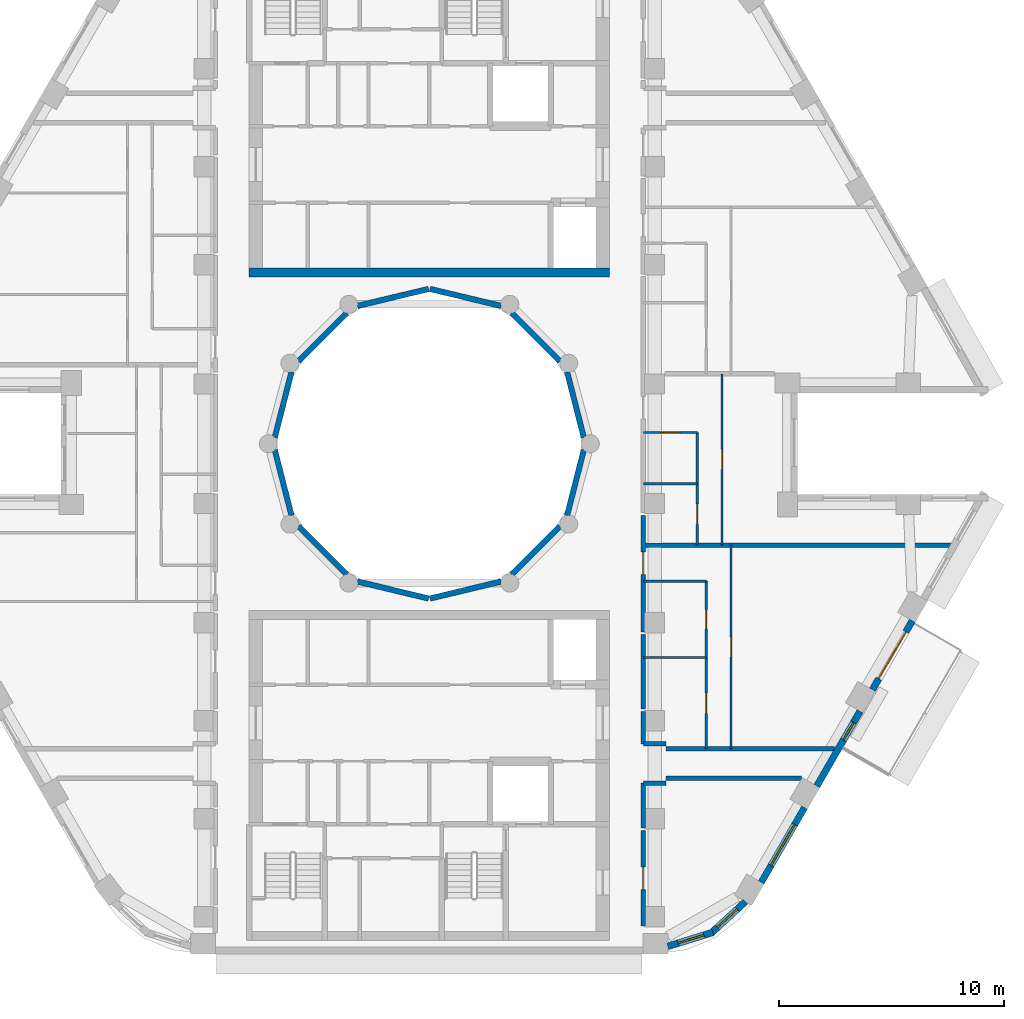
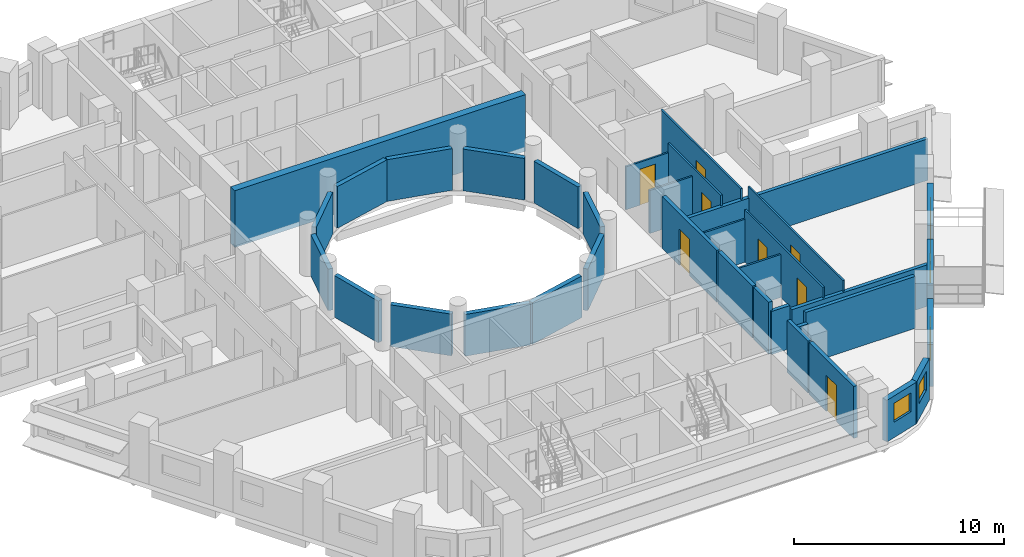
# One storey, part 5 of 14: 36 walls, 9 doors, 4 windows, 13 openings.
"""IFC4 building model written with IfcOpenShell, lengths in metres."""

from ifc_helpers import new_model, si_unit, direction, frame, frame_2d, origin, place, context, subcontext, project, spatial, rectangle, extrude, material, layer, layer_set, type_object, element, fill, save


model = new_model("IFC4")

# Units and contexts
model_context = context("Model", 3, precision=1e-05, world=origin(), true_north=direction((0.0, 1.0)))
body_context = subcontext(model_context, "Body", "Model", "MODEL_VIEW")
ifc_project = project(units=[si_unit("LENGTHUNIT", "METRE"), si_unit("AREAUNIT", "SQUARE_METRE"), si_unit("VOLUMEUNIT", "CUBIC_METRE"), si_unit("PLANEANGLEUNIT", "RADIAN"), si_unit("MASSUNIT", "GRAM", prefix="KILO")], contexts=[model_context])

# Site, building, storey
site_placement = place(None, origin())
site = spatial("IfcSite", under=ifc_project, at=site_placement, CompositionType="ELEMENT")
building_placement = place(site_placement, origin())
building = spatial("IfcBuilding", under=site, at=building_placement, Name="Nakaniwa Court", CompositionType="ELEMENT")
storey_placement = place(building_placement, frame((0.0, 0.0, 259.199951171875)))
storey = spatial("IfcBuildingStorey", under=building, at=storey_placement, Name="L68", CompositionType="ELEMENT", Elevation=259.199951171875)

# Wall, opening, door
ifc_material_1 = material(Name="Acoustic double stud partition")
ifc_layer_1 = layer(ifc_material_1, 0.199951171875)
ifc_layer_set_1 = layer_set([ifc_layer_1], Name="Acoustic double stud partition")
wall_type_1 = type_object("IfcWallType", Name="Acoustic double stud partition 200", PredefinedType="PARTITIONING", material=ifc_layer_set_1)
wall_1_placement = place(storey_placement, frame((89.5, 62.822998046875, 0.0), z_axis=(0.0, 0.0, 1.0), x_axis=(0.0, -1.0, 0.0)))
wall_1 = element("IfcWall", 1, at=wall_1_placement, inside=storey, type_object=wall_type_1, Name="Partition PW-057", PredefinedType="PARTITIONING", context=body_context, shape_type="SweptSolid", body=[
    extrude(rectangle(XDim=4.236083984375, YDim=0.199951171875, at=frame_2d((2.1181640625, 0.0))), origin(), (0.0, 0.0, 1.0), 3.025146484375),
])
opening_1_placement = place(wall_1_placement, frame((1.617919921875, 0.0, 0.0)))
opening_1 = element("IfcOpeningElement", 2, at=opening_1_placement, cuts=wall_1, Name="Opening D-02-03", PredefinedType="OPENING", context=body_context, shape_type="SweptSolid", body=[
    extrude(rectangle(XDim=1.0, YDim=2.10009765625, at=frame_2d((0.5, 1.050048828125))), frame((0.0, 0.10986328125, 0.0), z_axis=(0.0, -1.0, 0.0), x_axis=(1.0, 0.0, 0.0)), (0.0, 0.0, 1.0), 0.219970703125),
])
ifc_material_2 = material(Name="Solid core timber door set, black veneer", Category="wood")
door_type_1 = type_object("IfcDoorType", Name="Internal door 1000", OperationType="NOTDEFINED", PredefinedType="DOOR", material=ifc_material_2)
door_1_placement = place(opening_1_placement, origin())
door_1 = element("IfcDoor", 3, at=door_1_placement, inside=storey, type_object=door_type_1, Name="Door D-02-03 L68-055", OperationType="SINGLE_SWING_RIGHT", OverallHeight=2.10009765625, OverallWidth=1.0, PredefinedType="DOOR", context=body_context, shape_type="SweptSolid", body=[
    extrude(rectangle(XDim=1.0, YDim=2.10009765625, at=frame_2d((0.5, 1.050048828125))), frame((0.0, 0.02490234375, 0.0), z_axis=(0.0, -1.0, 0.0), x_axis=(1.0, 0.0, 0.0)), (0.0, 0.0, 1.0), 0.050048828125),
])
fill(opening_1, door_1)

# Walls
wall_2_placement = place(storey_placement, frame((89.5, 62.93701171875, 0.0), z_axis=(0.0, 0.0, 1.0), x_axis=(0.0, 1.0, 0.0)))
element("IfcWall", 4, at=wall_2_placement, inside=storey, type_object=wall_type_1, Name="Partition PW-058", PredefinedType="PARTITIONING", context=body_context, shape_type="SweptSolid", body=[
    extrude(rectangle(XDim=1.990966796875, YDim=0.199951171875, at=frame_2d((0.99560546875, 0.0))), origin(), (0.0, 0.0, 1.0), 3.025146484375),
])
wall_3_placement = place(storey_placement, frame((89.5, 66.672119140625, 0.0), z_axis=(0.0, 0.0, 1.0), x_axis=(0.0, 1.0, 0.0)))
element("IfcWall", 5, at=wall_3_placement, inside=storey, type_object=wall_type_1, Name="Partition PW-059", PredefinedType="PARTITIONING", context=body_context, shape_type="SweptSolid", body=[
    extrude(rectangle(XDim=1.44091796875, YDim=0.199951171875, at=frame_2d((0.720458984375, 0.0))), origin(), (0.0, 0.0, 1.0), 3.025146484375),
])
wall_4_placement = place(storey_placement, frame((89.5, 68.22705078125, 0.0), z_axis=(0.0, 0.0, 1.0), x_axis=(0.0, 1.0, 0.0)))
element("IfcWall", 6, at=wall_4_placement, inside=storey, type_object=wall_type_1, Name="Partition PW-060", PredefinedType="PARTITIONING", context=body_context, shape_type="SweptSolid", body=[
    extrude(rectangle(XDim=3.2958984375, YDim=0.199951171875, at=frame_2d((1.64794921875, 0.0))), origin(), (0.0, 0.0, 1.0), 3.025146484375),
])

# Wall, opening, door
wall_5_placement = place(storey_placement, frame((89.5, 76.822998046875, 0.0), z_axis=(0.0, 0.0, 1.0), x_axis=(0.0, -1.0, 0.0)))
wall_5 = element("IfcWall", 7, at=wall_5_placement, inside=storey, type_object=wall_type_1, Name="Partition PW-061", PredefinedType="PARTITIONING", context=body_context, shape_type="SweptSolid", body=[
    extrude(rectangle(XDim=5.18603515625, YDim=0.199951171875, at=frame_2d((2.593017578125, 0.0))), origin(), (0.0, 0.0, 1.0), 3.025146484375),
])
opening_2_placement = place(wall_5_placement, frame((1.623046875, 0.0, 0.0)))
opening_2 = element("IfcOpeningElement", 8, at=opening_2_placement, cuts=wall_5, Name="Opening D-01-01", PredefinedType="OPENING", context=body_context, shape_type="SweptSolid", body=[
    extrude(rectangle(XDim=1.0, YDim=2.10009765625, at=frame_2d((0.5, 1.050048828125))), frame((0.0, 0.10986328125, 0.0), z_axis=(0.0, -1.0, 0.0), x_axis=(1.0, 0.0, 0.0)), (0.0, 0.0, 1.0), 0.219970703125),
])
door_type_2 = type_object("IfcDoorType", Name="Flat entrance door 1000", OperationType="NOTDEFINED", PredefinedType="DOOR", material=ifc_material_2)
door_2_placement = place(opening_2_placement, origin())
door_2 = element("IfcDoor", 9, at=door_2_placement, inside=storey, type_object=door_type_2, Name="Door D-01-01 L68-029", OperationType="SINGLE_SWING_RIGHT", OverallHeight=2.10009765625, OverallWidth=1.0, PredefinedType="DOOR", context=body_context, shape_type="SweptSolid", body=[
    extrude(rectangle(XDim=1.0, YDim=2.10009765625, at=frame_2d((0.5, 1.050048828125))), frame((0.0, 0.02490234375, 0.0), z_axis=(0.0, -1.0, 0.0), x_axis=(1.0, 0.0, 0.0)), (0.0, 0.0, 1.0), 0.050048828125),
])
fill(opening_2, door_2)

# Walls
wall_6_placement = place(storey_placement, frame((89.5, 66.675048828125, 0.0), z_axis=(0.0, 0.0, 1.0), x_axis=(1.0, 0.0, 0.0)))
element("IfcWall", 10, at=wall_6_placement, inside=storey, type_object=wall_type_1, Name="Partition PW-077", PredefinedType="PARTITIONING", context=body_context, shape_type="SweptSolid", body=[
    extrude(rectangle(XDim=1.0, YDim=0.199951171875, at=frame_2d((0.5, 0.0))), origin(), (0.0, 0.0, 1.0), 2.505126953125),
])
wall_7_placement = place(storey_placement, frame((90.5, 66.449951171875, 0.0), z_axis=(0.0, 0.0, 1.0), x_axis=(1.0, 0.0, 0.0)))
element("IfcWall", 11, at=wall_7_placement, inside=storey, type_object=wall_type_1, Name="Partition PW-079", PredefinedType="PARTITIONING", context=body_context, shape_type="SweptSolid", body=[
    extrude(rectangle(XDim=7.484619140625, YDim=0.199951171875, at=frame_2d((3.7421875, 0.0))), origin(), (0.0, 0.0, 1.0), 2.405029296875),
])
wall_8_placement = place(storey_placement, frame((90.5, 65.14990234375, 0.0), z_axis=(0.0, 0.0, 1.0), x_axis=(1.0, 0.0, 0.0)))
element("IfcWall", 12, at=wall_8_placement, inside=storey, type_object=wall_type_1, Name="Partition PW-081", PredefinedType="PARTITIONING", context=body_context, shape_type="SweptSolid", body=[
    extrude(rectangle(XDim=6.02099609375, YDim=0.199951171875, at=frame_2d((3.010498046875, 0.0))), origin(), (0.0, 0.0, 1.0), 3.025146484375),
])
wall_9_placement = place(storey_placement, frame((89.5, 64.925048828125, 0.0), z_axis=(0.0, 0.0, 1.0), x_axis=(1.0, 0.0, 0.0)))
element("IfcWall", 13, at=wall_9_placement, inside=storey, type_object=wall_type_1, Name="Partition PW-083", PredefinedType="PARTITIONING", context=body_context, shape_type="SweptSolid", body=[
    extrude(rectangle(XDim=1.0, YDim=0.199951171875, at=frame_2d((0.5, 0.0))), origin(), (0.0, 0.0, 1.0), 2.505126953125),
])
wall_10_placement = place(storey_placement, frame((89.5, 75.5, 0.0), z_axis=(0.0, 0.0, 1.0), x_axis=(1.0, 0.0, 0.0)))
element("IfcWall", 14, at=wall_10_placement, inside=storey, type_object=wall_type_1, Name="Partition PW-103", PredefinedType="PARTITIONING", context=body_context, shape_type="SweptSolid", body=[
    extrude(rectangle(XDim=13.70947265625, YDim=0.199951171875, at=frame_2d((6.854736328125, 0.0))), origin(), (0.0, 0.0, 1.0), 2.405029296875),
])

# Wall, opening, window
ifc_material_3 = material(Name="Charcoal ceramic cladding")
ifc_layer_2 = layer(ifc_material_3, 0.02, Name="Ceramic cladding")
ifc_material_4 = material(Name="Ventilated air cavity")
ifc_layer_3 = layer(ifc_material_4, 0.04, ventilated=True, Name="Ventilated cavity")
ifc_material_5 = material(Name="Mineral wool insulation")
ifc_layer_4 = layer(ifc_material_5, 0.1, Name="Insulation")
ifc_material_6 = material(Name="Cement bonded sheathing board")
ifc_layer_5 = layer(ifc_material_6, 0.012, Name="Sheathing")
ifc_material_7 = material(Name="Cold-formed galvanised stud frame with mineral wool infill")
ifc_layer_6 = layer(ifc_material_7, 0.1, Name="Stud frame")
ifc_material_8 = material(Name="Fire-rated gypsum plasterboard lining")
ifc_layer_7 = layer(ifc_material_8, 0.028, Name="Lining")
ifc_layer_set_2 = layer_set([ifc_layer_2, ifc_layer_3, ifc_layer_4, ifc_layer_5, ifc_layer_6, ifc_layer_7], Name="Charcoal ceramic faced external wall system")
wall_type_2 = type_object("IfcWallType", Name="Black ceramic faced external wall 300", PredefinedType="SOLIDWALL", material=ifc_layer_set_2)
wall_11_placement = place(storey_placement, frame((90.585693359375, 57.68408203125, 0.0), z_axis=(0.0, 0.0, 1.0), x_axis=(0.954941641926, 0.296793632875, 0.0)))
wall_11 = element("IfcWall", 15, at=wall_11_placement, inside=storey, type_object=wall_type_2, Name="L68 external wall 27", PredefinedType="SOLIDWALL", context=body_context, shape_type="SweptSolid", body=[
    extrude(rectangle(XDim=2.1025390625, YDim=0.300048828125, at=frame_2d((1.05126953125, 0.0))), origin(), (0.0, 0.0, 1.0), 2.425048828125),
])
opening_3_placement = place(wall_11_placement, frame((0.490234375, 0.0, 0.89990234375)))
opening_3 = element("IfcOpeningElement", 16, at=opening_3_placement, cuts=wall_11, Name="Opening W6.26", PredefinedType="OPENING", context=body_context, shape_type="SweptSolid", body=[
    extrude(rectangle(XDim=1.199951171875, YDim=1.10009765625, at=frame_2d((0.60009765625, 0.550048828125))), frame((0.0, 0.159912109375, 0.0), z_axis=(0.0, -1.0, 0.0), x_axis=(1.0, 0.0, 0.0)), (0.0, 0.0, 1.0), 0.320068359375),
])
ifc_material_9 = material(Name="Black anodised aluminium frame with dark low-E laminated double glazing", Category="aluminium")
window_type_1 = type_object("IfcWindowType", Name="Dark glass window 1200x1100 sill 900", PartitioningType="SINGLE_PANEL", PredefinedType="WINDOW", material=ifc_material_9)
window_1_placement = place(opening_3_placement, origin())
window_1 = element("IfcWindow", 17, at=window_1_placement, inside=storey, type_object=window_type_1, Name="L68 habitable room window 27-0", OverallHeight=1.10009765625, OverallWidth=1.199951171875, PartitioningType="SINGLE_PANEL", PredefinedType="WINDOW", context=body_context, shape_type="SweptSolid", body=[
    extrude(rectangle(XDim=1.199951171875, YDim=1.10009765625, at=frame_2d((0.60009765625, 0.550048828125))), frame((0.0, 0.030029296875, 0.0), z_axis=(0.0, -1.0, 0.0), x_axis=(1.0, 0.0, 0.0)), (0.0, 0.0, 1.0), 0.06005859375),
])
fill(opening_3, window_1)

wall_12_placement = place(storey_placement, frame((92.489501953125, 58.247314453125, 0.0), z_axis=(0.0, 0.0, 1.0), x_axis=(0.734830223907, 0.678251090698, 0.0)))
wall_12 = element("IfcWall", 18, at=wall_12_placement, inside=storey, type_object=wall_type_2, Name="L68 external wall 28", PredefinedType="SOLIDWALL", context=body_context, shape_type="SweptSolid", body=[
    extrude(rectangle(XDim=2.09716796875, YDim=0.300048828125, at=frame_2d((1.048583984375, 0.0))), origin(), (0.0, 0.0, 1.0), 2.425048828125),
])
opening_4_placement = place(wall_12_placement, frame((0.409423828125, 0.0, 0.89990234375)))
opening_4 = element("IfcOpeningElement", 19, at=opening_4_placement, cuts=wall_12, Name="Opening W6.27", PredefinedType="OPENING", context=body_context, shape_type="SweptSolid", body=[
    extrude(rectangle(XDim=1.199951171875, YDim=1.10009765625, at=frame_2d((0.60009765625, 0.550048828125))), frame((0.0, 0.159912109375, 0.0), z_axis=(0.0, -1.0, 0.0), x_axis=(1.0, 0.0, 0.0)), (0.0, 0.0, 1.0), 0.320068359375),
])
window_2_placement = place(opening_4_placement, origin())
window_2 = element("IfcWindow", 20, at=window_2_placement, inside=storey, type_object=window_type_1, Name="L68 habitable room window 28-0", OverallHeight=1.10009765625, OverallWidth=1.199951171875, PartitioningType="SINGLE_PANEL", PredefinedType="WINDOW", context=body_context, shape_type="SweptSolid", body=[
    extrude(rectangle(XDim=1.199951171875, YDim=1.10009765625, at=frame_2d((0.60009765625, 0.550048828125))), frame((0.0, 0.030029296875, 0.0), z_axis=(0.0, -1.0, 0.0), x_axis=(1.0, 0.0, 0.0)), (0.0, 0.0, 1.0), 0.06005859375),
])
fill(opening_4, window_2)

wall_13_placement = place(storey_placement, frame((94.73583984375, 60.523193359375, 0.0), z_axis=(0.0, 0.0, 1.0), x_axis=(0.499984490703, 0.866034357896, 0.0)))
wall_13 = element("IfcWall", 21, at=wall_13_placement, inside=storey, type_object=wall_type_2, Name="L68 external wall 29", PredefinedType="SOLIDWALL", context=body_context, shape_type="SweptSolid", body=[
    extrude(rectangle(XDim=3.84423828125, YDim=0.300048828125, at=frame_2d((1.922119140625, 0.0))), origin(), (0.0, 0.0, 1.0), 2.425048828125),
])
opening_5_placement = place(wall_13_placement, frame((0.8720703125, 0.0, 0.89990234375)))
opening_5 = element("IfcOpeningElement", 22, at=opening_5_placement, cuts=wall_13, Name="Opening W7.28", PredefinedType="OPENING", context=body_context, shape_type="SweptSolid", body=[
    extrude(rectangle(XDim=2.10009765625, YDim=1.10009765625, at=frame_2d((1.050048828125, 0.550048828125))), frame((0.0, 0.159912109375, 0.0), z_axis=(0.0, -1.0, 0.0), x_axis=(1.0, 0.0, 0.0)), (0.0, 0.0, 1.0), 0.320068359375),
])
window_type_2 = type_object("IfcWindowType", Name="Dark glass window 2100x1100 sill 900", PartitioningType="SINGLE_PANEL", PredefinedType="WINDOW", material=ifc_material_9)
window_3_placement = place(opening_5_placement, origin())
window_3 = element("IfcWindow", 23, at=window_3_placement, inside=storey, type_object=window_type_2, Name="L68 habitable room window 29-0", OverallHeight=1.10009765625, OverallWidth=2.10009765625, PartitioningType="SINGLE_PANEL", PredefinedType="WINDOW", context=body_context, shape_type="SweptSolid", body=[
    extrude(rectangle(XDim=2.10009765625, YDim=1.10009765625, at=frame_2d((1.050048828125, 0.550048828125))), frame((0.0, 0.030029296875, 0.0), z_axis=(0.0, -1.0, 0.0), x_axis=(1.0, 0.0, 0.0)), (0.0, 0.0, 1.0), 0.06005859375),
])
fill(opening_5, window_3)

wall_14_placement = place(storey_placement, frame((97.2041015625, 64.798095703125, 0.0), z_axis=(0.0, 0.0, 1.0), x_axis=(0.499984490703, 0.866034357896, 0.0)))
wall_14 = element("IfcWall", 24, at=wall_14_placement, inside=storey, type_object=wall_type_2, Name="L68 external wall 30", PredefinedType="SOLIDWALL", context=body_context, shape_type="SweptSolid", body=[
    extrude(rectangle(XDim=3.84423828125, YDim=0.300048828125, at=frame_2d((1.922119140625, 0.0))), origin(), (0.0, 0.0, 1.0), 2.425048828125),
])
opening_6_placement = place(wall_14_placement, frame((2.36474609375, 0.0, 0.89990234375)))
opening_6 = element("IfcOpeningElement", 25, at=opening_6_placement, cuts=wall_14, Name="Opening W9.29", PredefinedType="OPENING", context=body_context, shape_type="SweptSolid", body=[
    extrude(rectangle(XDim=0.89990234375, YDim=1.10009765625, at=frame_2d((0.449951171875, 0.550048828125))), frame((0.0, 0.159912109375, 0.0), z_axis=(0.0, -1.0, 0.0), x_axis=(1.0, 0.0, 0.0)), (0.0, 0.0, 1.0), 0.320068359375),
])
window_type_3 = type_object("IfcWindowType", Name="Dark glass window 900x1100 sill 900", PartitioningType="SINGLE_PANEL", PredefinedType="WINDOW", material=ifc_material_9)
window_4_placement = place(opening_6_placement, origin())
window_4 = element("IfcWindow", 26, at=window_4_placement, inside=storey, type_object=window_type_3, Name="L68 living window 30-1", OverallHeight=1.10009765625, OverallWidth=0.89990234375, PartitioningType="SINGLE_PANEL", PredefinedType="WINDOW", context=body_context, shape_type="SweptSolid", body=[
    extrude(rectangle(XDim=0.89990234375, YDim=1.10009765625, at=frame_2d((0.449951171875, 0.550048828125))), frame((0.0, 0.030029296875, 0.0), z_axis=(0.0, -1.0, 0.0), x_axis=(1.0, 0.0, 0.0)), (0.0, 0.0, 1.0), 0.06005859375),
])
fill(opening_6, window_4)

# Wall, opening, door
wall_15_placement = place(storey_placement, frame((99.672119140625, 69.072998046875, 0.0), z_axis=(0.0, 0.0, 1.0), x_axis=(0.500010404316, 0.866019396766, 0.0)))
wall_15 = element("IfcWall", 27, at=wall_15_placement, inside=storey, type_object=wall_type_2, Name="L68 external wall 31", PredefinedType="SOLIDWALL", context=body_context, shape_type="SweptSolid", body=[
    extrude(rectangle(XDim=3.54736328125, YDim=0.300048828125, at=frame_2d((1.773681640625, 0.0))), origin(), (0.0, 0.0, 1.0), 2.425048828125),
])
opening_7_placement = place(wall_15_placement, frame((0.573486328125, 0.0, 0.0)))
opening_7 = element("IfcOpeningElement", 28, at=opening_7_placement, cuts=wall_15, Name="Opening XD13.02", PredefinedType="OPENING", context=body_context, shape_type="SweptSolid", body=[
    extrude(rectangle(XDim=2.39990234375, YDim=2.0, at=frame_2d((1.199951171875, 1.0))), frame((0.0, 0.159912109375, 0.0), z_axis=(0.0, -1.0, 0.0), x_axis=(1.0, 0.0, 0.0)), (0.0, 0.0, 1.0), 0.320068359375),
])
ifc_material_10 = material(Name="Black powder-coated aluminium frame with dark laminated glass", Category="aluminium")
door_type_3 = type_object("IfcDoorType", Name="Balcony sliding door 2400x2000", OperationType="DOUBLE_DOOR_SLIDING", PredefinedType="DOOR", material=ifc_material_10)
door_3_placement = place(opening_7_placement, origin())
door_3 = element("IfcDoor", 29, at=door_3_placement, inside=storey, type_object=door_type_3, Name="L68 balcony sliding door 02", OperationType="DOUBLE_DOOR_SLIDING", OverallHeight=2.0, OverallWidth=2.39990234375, PredefinedType="DOOR", context=body_context, shape_type="SweptSolid", body=[
    extrude(rectangle(XDim=2.39990234375, YDim=2.0, at=frame_2d((1.199951171875, 1.0))), frame((0.0, 0.02490234375, 0.0), z_axis=(0.0, -1.0, 0.0), x_axis=(1.0, 0.0, 0.0)), (0.0, 0.0, 1.0), 0.050048828125),
])
fill(opening_7, door_3)

# Walls
ifc_layer_8 = layer(ifc_material_3, 0.02, Name="Ceramic cladding")
ifc_layer_9 = layer(ifc_material_4, 0.04, ventilated=True, Name="Ventilated cavity")
ifc_layer_10 = layer(ifc_material_5, 0.075, Name="Insulation")
ifc_layer_11 = layer(ifc_material_6, 0.012, Name="Sheathing")
ifc_layer_12 = layer(ifc_material_7, 0.075, Name="Stud frame")
ifc_layer_13 = layer(ifc_material_8, 0.028, Name="Lining")
ifc_layer_set_3 = layer_set([ifc_layer_8, ifc_layer_9, ifc_layer_10, ifc_layer_11, ifc_layer_12, ifc_layer_13], Name="Charcoal ceramic faced external wall system")
wall_type_3 = type_object("IfcWallType", Name="Charcoal ceramic faced well wall 250", PredefinedType="SOLIDWALL", material=ifc_layer_set_3)
wall_16_placement = place(storey_placement, frame((86.8603515625, 79.72998046875, 0.0), z_axis=(0.0, 0.0, 1.0), x_axis=(-0.247055971283, -0.969001211069, 0.0)))
element("IfcWall", 30, at=wall_16_placement, inside=storey, type_object=wall_type_3, Name="L68 external wall 36", PredefinedType="SOLIDWALL", context=body_context, shape_type="SweptSolid", body=[
    extrude(rectangle(XDim=3.010009765625, YDim=0.25, at=frame_2d((1.5048828125, 0.0))), origin(), (0.0, 0.0, 1.0), 2.425048828125),
])
wall_17_placement = place(storey_placement, frame((85.8056640625, 76.339111328125, 0.0), z_axis=(0.0, 0.0, 1.0), x_axis=(-0.707106781187, -0.707106781187, 0.0)))
element("IfcWall", 31, at=wall_17_placement, inside=storey, type_object=wall_type_3, Name="L68 external wall 37", PredefinedType="SOLIDWALL", context=body_context, shape_type="SweptSolid", body=[
    extrude(rectangle(XDim=3.033203125, YDim=0.25, at=frame_2d((1.5166015625, 0.0))), origin(), (0.0, 0.0, 1.0), 2.425048828125),
])
for number, where, z_axis, x_axis, name in (
    (32, (83.186279296875, 73.880615234375, 0.0), (0.0, 0.0, 1.0), (-0.972773113459, -0.231759508395, 0.0), "L68 external wall 38"),
    (33, (79.970947265625, 73.12841796875, 0.0), (0.0, 0.0, 1.0), (-0.972773113459, 0.231759508395, 0.0), "L68 external wall 39"),
):
    element("IfcWall", number, at=place(storey_placement, frame(where, z_axis=z_axis, x_axis=x_axis)), inside=storey, type_object=wall_type_3, Name=name, PredefinedType="SOLIDWALL", context=body_context, shape_type="SweptSolid", body=[
        extrude(rectangle(XDim=3.24560546875, YDim=0.25, at=frame_2d((1.622802734375, 0.0))), origin(), (0.0, 0.0, 1.0), 2.425048828125),
    ])
wall_18_placement = place(storey_placement, frame((76.339111328125, 74.1943359375, 0.0), z_axis=(0.0, 0.0, 1.0), x_axis=(-0.707106781187, 0.707106781187, 0.0)))
element("IfcWall", 34, at=wall_18_placement, inside=storey, type_object=wall_type_3, Name="L68 external wall 40", PredefinedType="SOLIDWALL", context=body_context, shape_type="SweptSolid", body=[
    extrude(rectangle(XDim=3.033203125, YDim=0.25, at=frame_2d((1.5166015625, 0.0))), origin(), (0.0, 0.0, 1.0), 2.425048828125),
])
for number, where, z_axis, x_axis, name in (
    (35, (73.88330078125, 76.813232421875, 0.0), (0.0, 0.0, 1.0), (-0.247055971283, 0.969001211069, 0.0), "L68 external wall 41"),
    (36, (73.1396484375, 80.27001953125, 0.0), (0.0, 0.0, 1.0), (0.247055971283, 0.969001211069, 0.0), "L68 external wall 42"),
):
    element("IfcWall", number, at=place(storey_placement, frame(where, z_axis=z_axis, x_axis=x_axis)), inside=storey, type_object=wall_type_3, Name=name, PredefinedType="SOLIDWALL", context=body_context, shape_type="SweptSolid", body=[
        extrude(rectangle(XDim=3.010009765625, YDim=0.25, at=frame_2d((1.5048828125, 0.0))), origin(), (0.0, 0.0, 1.0), 2.425048828125),
    ])
wall_19_placement = place(storey_placement, frame((74.1943359375, 83.660888671875, 0.0), z_axis=(0.0, 0.0, 1.0), x_axis=(0.707106781187, 0.707106781187, 0.0)))
element("IfcWall", 37, at=wall_19_placement, inside=storey, type_object=wall_type_3, Name="L68 external wall 43", PredefinedType="SOLIDWALL", context=body_context, shape_type="SweptSolid", body=[
    extrude(rectangle(XDim=3.033203125, YDim=0.25, at=frame_2d((1.5166015625, 0.0))), origin(), (0.0, 0.0, 1.0), 2.425048828125),
])
for number, where, z_axis, x_axis, name in (
    (38, (76.813720703125, 86.119384765625, 0.0), (0.0, 0.0, 1.0), (0.972773113459, 0.231759508395, 0.0), "L68 external wall 44"),
    (39, (80.029052734375, 86.87158203125, 0.0), (0.0, 0.0, 1.0), (0.972773113459, -0.231759508395, 0.0), "L68 external wall 45"),
):
    element("IfcWall", number, at=place(storey_placement, frame(where, z_axis=z_axis, x_axis=x_axis)), inside=storey, type_object=wall_type_3, Name=name, PredefinedType="SOLIDWALL", context=body_context, shape_type="SweptSolid", body=[
        extrude(rectangle(XDim=3.24560546875, YDim=0.25, at=frame_2d((1.622802734375, 0.0))), origin(), (0.0, 0.0, 1.0), 2.425048828125),
    ])
wall_20_placement = place(storey_placement, frame((83.660888671875, 85.8056640625, 0.0), z_axis=(0.0, 0.0, 1.0), x_axis=(0.707106781187, -0.707106781187, 0.0)))
element("IfcWall", 40, at=wall_20_placement, inside=storey, type_object=wall_type_3, Name="L68 external wall 46", PredefinedType="SOLIDWALL", context=body_context, shape_type="SweptSolid", body=[
    extrude(rectangle(XDim=3.033203125, YDim=0.25, at=frame_2d((1.5166015625, 0.0))), origin(), (0.0, 0.0, 1.0), 2.425048828125),
])
wall_21_placement = place(storey_placement, frame((86.11669921875, 83.186767578125, 0.0), z_axis=(0.0, 0.0, 1.0), x_axis=(0.247055971283, -0.969001211069, 0.0)))
element("IfcWall", 41, at=wall_21_placement, inside=storey, type_object=wall_type_3, Name="L68 external wall 47", PredefinedType="SOLIDWALL", context=body_context, shape_type="SweptSolid", body=[
    extrude(rectangle(XDim=3.010009765625, YDim=0.25, at=frame_2d((1.5048828125, 0.0))), origin(), (0.0, 0.0, 1.0), 2.425048828125),
])
ifc_material_11 = material(Name="Concrete C80/100", Category="concrete")
ifc_layer_14 = layer(ifc_material_11, 0.39990234375)
ifc_layer_set_4 = layer_set([ifc_layer_14], Name="Concrete C80/100")
wall_type_4 = type_object("IfcWallType", Name="Concrete core well wall 400 C80", PredefinedType="SHEAR", material=ifc_layer_set_4)
wall_22_placement = place(storey_placement, frame((72.00390625, 87.60009765625, -0.27490234375), z_axis=(0.0, 0.0, 1.0), x_axis=(1.0, 0.0, 0.0)))
element("IfcWall", 42, at=wall_22_placement, inside=storey, type_object=wall_type_4, Name="Core wall SW-126", PredefinedType="SHEAR", context=body_context, shape_type="SweptSolid", body=[
    extrude(rectangle(XDim=15.9921875, YDim=0.39990234375, at=frame_2d((7.99609375, 0.0))), origin(), (0.0, 0.0, 1.0), 3.300048828125),
])
ifc_material_12 = material(Name="Single stud plasterboard partition")
ifc_layer_15 = layer(ifc_material_12, 0.10009765625)
ifc_layer_set_5 = layer_set([ifc_layer_15], Name="Single stud plasterboard partition")
wall_type_5 = type_object("IfcWallType", Name="Single stud plasterboard partition 100", PredefinedType="PARTITIONING", material=ifc_layer_set_5)
wall_23_placement = place(storey_placement, frame((89.5, 70.513916015625, 0.0), z_axis=(0.0, 0.0, 1.0), x_axis=(1.0, 0.0, 0.0)))
element("IfcWall", 43, at=wall_23_placement, inside=storey, type_object=wall_type_5, Name="Partition PW-097", PredefinedType="PARTITIONING", context=body_context, shape_type="SweptSolid", body=[
    extrude(rectangle(XDim=2.800048828125, YDim=0.10009765625, at=frame_2d((1.39990234375, 0.0))), origin(), (0.0, 0.0, 1.0), 2.505126953125),
])

# Wall, openings, doors
wall_24_placement = place(storey_placement, frame((92.300048828125, 66.449951171875, 0.0), z_axis=(0.0, 0.0, 1.0), x_axis=(0.0, 1.0, 0.0)))
wall_24 = element("IfcWall", 44, at=wall_24_placement, inside=storey, type_object=wall_type_5, Name="Partition PW-098", PredefinedType="PARTITIONING", context=body_context, shape_type="SweptSolid", body=[
    extrude(rectangle(XDim=7.449951171875, YDim=0.10009765625, at=frame_2d((3.72509765625, 0.0))), origin(), (0.0, 0.0, 1.0), 3.025146484375),
])
opening_8_placement = place(wall_24_placement, frame((1.58203125, 0.0, 0.0)))
opening_8 = element("IfcOpeningElement", 45, at=opening_8_placement, cuts=wall_24, Name="Opening D-33-01", PredefinedType="OPENING", context=body_context, shape_type="SweptSolid", body=[
    extrude(rectangle(XDim=0.89990234375, YDim=2.10009765625, at=frame_2d((0.449951171875, 1.050048828125))), frame((0.0, 0.06005859375, 0.0), z_axis=(0.0, -1.0, 0.0), x_axis=(1.0, 0.0, 0.0)), (0.0, 0.0, 1.0), 0.1201171875),
])
opening_9_placement = place(wall_24_placement, frame((5.33203125, 0.0, 0.0)))
opening_9 = element("IfcOpeningElement", 46, at=opening_9_placement, cuts=wall_24, Name="Opening D-03-01", PredefinedType="OPENING", context=body_context, shape_type="SweptSolid", body=[
    extrude(rectangle(XDim=0.85009765625, YDim=2.10009765625, at=frame_2d((0.425048828125, 1.050048828125))), frame((0.0, 0.06005859375, 0.0), z_axis=(0.0, -1.0, 0.0), x_axis=(1.0, 0.0, 0.0)), (0.0, 0.0, 1.0), 0.1201171875),
])
ifc_material_13 = material(Name="Moisture sealed timber door set", Category="wood")
door_type_4 = type_object("IfcDoorType", Name="Bathroom door 850", OperationType="NOTDEFINED", PredefinedType="DOOR", material=ifc_material_13)
door_4_placement = place(opening_9_placement, origin())
door_4 = element("IfcDoor", 47, at=door_4_placement, inside=storey, type_object=door_type_4, Name="Door D-03-01 L68-031", OperationType="SINGLE_SWING_RIGHT", OverallHeight=2.10009765625, OverallWidth=0.85009765625, PredefinedType="DOOR", context=body_context, shape_type="SweptSolid", body=[
    extrude(rectangle(XDim=0.85009765625, YDim=2.10009765625, at=frame_2d((0.425048828125, 1.050048828125))), frame((0.0, 0.02490234375, 0.0), z_axis=(0.0, -1.0, 0.0), x_axis=(1.0, 0.0, 0.0)), (0.0, 0.0, 1.0), 0.050048828125),
])
fill(opening_9, door_4)
door_type_5 = type_object("IfcDoorType", Name="Internal door 900", OperationType="NOTDEFINED", PredefinedType="DOOR", material=ifc_material_2)
door_5_placement = place(opening_8_placement, origin())
door_5 = element("IfcDoor", 48, at=door_5_placement, inside=storey, type_object=door_type_5, Name="Door D-33-01 L68-030", OperationType="SINGLE_SWING_LEFT", OverallHeight=2.10009765625, OverallWidth=0.89990234375, PredefinedType="DOOR", context=body_context, shape_type="SweptSolid", body=[
    extrude(rectangle(XDim=0.89990234375, YDim=2.10009765625, at=frame_2d((0.449951171875, 1.050048828125))), frame((0.0, 0.02490234375, 0.0), z_axis=(0.0, -1.0, 0.0), x_axis=(1.0, 0.0, 0.0)), (0.0, 0.0, 1.0), 0.050048828125),
])
fill(opening_8, door_5)

# Wall
wall_25_placement = place(storey_placement, frame((89.5, 73.89990234375, 0.0), z_axis=(0.0, 0.0, 1.0), x_axis=(1.0, 0.0, 0.0)))
element("IfcWall", 49, at=wall_25_placement, inside=storey, type_object=wall_type_5, Name="Partition PW-100", PredefinedType="PARTITIONING", context=body_context, shape_type="SweptSolid", body=[
    extrude(rectangle(XDim=2.800048828125, YDim=0.10009765625, at=frame_2d((1.39990234375, 0.0))), origin(), (0.0, 0.0, 1.0), 2.505126953125),
])

# Wall, opening, door
wall_26_placement = place(storey_placement, frame((93.39990234375, 75.5, 0.0), z_axis=(0.0, 0.0, 1.0), x_axis=(0.0, -1.0, 0.0)))
wall_26 = element("IfcWall", 50, at=wall_26_placement, inside=storey, type_object=wall_type_5, Name="Partition PW-101", PredefinedType="PARTITIONING", context=body_context, shape_type="SweptSolid", body=[
    extrude(rectangle(XDim=9.050048828125, YDim=0.10009765625, at=frame_2d((4.52490234375, 0.0))), origin(), (0.0, 0.0, 1.0), 3.025146484375),
])
opening_10_placement = place(wall_26_placement, frame((4.074951171875, 0.0, 0.0)))
opening_10 = element("IfcOpeningElement", 51, at=opening_10_placement, cuts=wall_26, Name="Opening D-33-02", PredefinedType="OPENING", context=body_context, shape_type="SweptSolid", body=[
    extrude(rectangle(XDim=0.89990234375, YDim=2.10009765625, at=frame_2d((0.449951171875, 1.050048828125))), frame((0.0, 0.06005859375, 0.0), z_axis=(0.0, -1.0, 0.0), x_axis=(1.0, 0.0, 0.0)), (0.0, 0.0, 1.0), 0.1201171875),
])
door_6_placement = place(opening_10_placement, origin())
door_6 = element("IfcDoor", 52, at=door_6_placement, inside=storey, type_object=door_type_5, Name="Door D-33-02 L68-032", OperationType="SINGLE_SWING_LEFT", OverallHeight=2.10009765625, OverallWidth=0.89990234375, PredefinedType="DOOR", context=body_context, shape_type="SweptSolid", body=[
    extrude(rectangle(XDim=0.89990234375, YDim=2.10009765625, at=frame_2d((0.449951171875, 1.050048828125))), frame((0.0, 0.02490234375, 0.0), z_axis=(0.0, -1.0, 0.0), x_axis=(1.0, 0.0, 0.0)), (0.0, 0.0, 1.0), 0.050048828125),
])
fill(opening_10, door_6)

# Wall
wall_27_placement = place(storey_placement, frame((89.5, 78.22705078125, 0.0), z_axis=(0.0, 0.0, 1.0), x_axis=(1.0, 0.0, 0.0)))
element("IfcWall", 53, at=wall_27_placement, inside=storey, type_object=wall_type_5, Name="Partition PW-104", PredefinedType="PARTITIONING", context=body_context, shape_type="SweptSolid", body=[
    extrude(rectangle(XDim=2.39990234375, YDim=0.10009765625, at=frame_2d((1.199951171875, 0.0))), origin(), (0.0, 0.0, 1.0), 2.505126953125),
])

# Wall, opening, door
wall_28_placement = place(storey_placement, frame((91.89990234375, 75.5, 0.0), z_axis=(0.0, 0.0, 1.0), x_axis=(0.0, 1.0, 0.0)))
wall_28 = element("IfcWall", 54, at=wall_28_placement, inside=storey, type_object=wall_type_5, Name="Partition PW-105", PredefinedType="PARTITIONING", context=body_context, shape_type="SweptSolid", body=[
    extrude(rectangle(XDim=5.0, YDim=0.10009765625, at=frame_2d((2.5, 0.0))), origin(), (0.0, 0.0, 1.0), 3.025146484375),
])
opening_11_placement = place(wall_28_placement, frame((0.9140625, 0.0, 0.0)))
opening_11 = element("IfcOpeningElement", 55, at=opening_11_placement, cuts=wall_28, Name="Opening D-33-03", PredefinedType="OPENING", context=body_context, shape_type="SweptSolid", body=[
    extrude(rectangle(XDim=0.89990234375, YDim=2.10009765625, at=frame_2d((0.449951171875, 1.050048828125))), frame((0.0, 0.06005859375, 0.0), z_axis=(0.0, -1.0, 0.0), x_axis=(1.0, 0.0, 0.0)), (0.0, 0.0, 1.0), 0.1201171875),
])
door_7_placement = place(opening_11_placement, origin())
door_7 = element("IfcDoor", 56, at=door_7_placement, inside=storey, type_object=door_type_5, Name="Door D-33-03 L68-034", OperationType="SINGLE_SWING_LEFT", OverallHeight=2.10009765625, OverallWidth=0.89990234375, PredefinedType="DOOR", context=body_context, shape_type="SweptSolid", body=[
    extrude(rectangle(XDim=0.89990234375, YDim=2.10009765625, at=frame_2d((0.449951171875, 1.050048828125))), frame((0.0, 0.02490234375, 0.0), z_axis=(0.0, -1.0, 0.0), x_axis=(1.0, 0.0, 0.0)), (0.0, 0.0, 1.0), 0.050048828125),
])
fill(opening_11, door_7)

wall_29_placement = place(storey_placement, frame((91.89990234375, 80.5, 0.0), z_axis=(0.0, 0.0, 1.0), x_axis=(-1.0, 0.0, 0.0)))
wall_29 = element("IfcWall", 57, at=wall_29_placement, inside=storey, type_object=wall_type_5, Name="Partition PW-106", PredefinedType="PARTITIONING", context=body_context, shape_type="SweptSolid", body=[
    extrude(rectangle(XDim=2.39990234375, YDim=0.10009765625, at=frame_2d((1.199951171875, 0.0))), origin(), (0.0, 0.0, 1.0), 2.505126953125),
])
opening_12_placement = place(wall_29_placement, frame((0.77490234375, 0.0, 0.0)))
opening_12 = element("IfcOpeningElement", 58, at=opening_12_placement, cuts=wall_29, Name="Opening D-03-02", PredefinedType="OPENING", context=body_context, shape_type="SweptSolid", body=[
    extrude(rectangle(XDim=0.85009765625, YDim=2.10009765625, at=frame_2d((0.425048828125, 1.050048828125))), frame((0.0, 0.06005859375, 0.0), z_axis=(0.0, -1.0, 0.0), x_axis=(1.0, 0.0, 0.0)), (0.0, 0.0, 1.0), 0.1201171875),
])
door_8_placement = place(opening_12_placement, origin())
door_8 = element("IfcDoor", 59, at=door_8_placement, inside=storey, type_object=door_type_4, Name="Door D-03-02 L68-035", OperationType="SINGLE_SWING_RIGHT", OverallHeight=2.10009765625, OverallWidth=0.85009765625, PredefinedType="DOOR", context=body_context, shape_type="SweptSolid", body=[
    extrude(rectangle(XDim=0.85009765625, YDim=2.10009765625, at=frame_2d((0.425048828125, 1.050048828125))), frame((0.0, 0.02490234375, 0.0), z_axis=(0.0, -1.0, 0.0), x_axis=(1.0, 0.0, 0.0)), (0.0, 0.0, 1.0), 0.050048828125),
])
fill(opening_12, door_8)

wall_30_placement = place(storey_placement, frame((93.0, 83.10009765625, 0.0), z_axis=(0.0, 0.0, 1.0), x_axis=(0.0, -1.0, 0.0)))
wall_30 = element("IfcWall", 60, at=wall_30_placement, inside=storey, type_object=wall_type_5, Name="Partition PW-107", PredefinedType="PARTITIONING", context=body_context, shape_type="SweptSolid", body=[
    extrude(rectangle(XDim=7.60009765625, YDim=0.10009765625, at=frame_2d((3.800048828125, 0.0))), origin(), (0.0, 0.0, 1.0), 3.025146484375),
])
opening_13_placement = place(wall_30_placement, frame((3.35009765625, 0.0, 0.0)))
opening_13 = element("IfcOpeningElement", 61, at=opening_13_placement, cuts=wall_30, Name="Opening D-33-04", PredefinedType="OPENING", context=body_context, shape_type="SweptSolid", body=[
    extrude(rectangle(XDim=0.89990234375, YDim=2.10009765625, at=frame_2d((0.449951171875, 1.050048828125))), frame((0.0, 0.06005859375, 0.0), z_axis=(0.0, -1.0, 0.0), x_axis=(1.0, 0.0, 0.0)), (0.0, 0.0, 1.0), 0.1201171875),
])
door_9_placement = place(opening_13_placement, origin())
door_9 = element("IfcDoor", 62, at=door_9_placement, inside=storey, type_object=door_type_5, Name="Door D-33-04 L68-036", OperationType="SINGLE_SWING_LEFT", OverallHeight=2.10009765625, OverallWidth=0.89990234375, PredefinedType="DOOR", context=body_context, shape_type="SweptSolid", body=[
    extrude(rectangle(XDim=0.89990234375, YDim=2.10009765625, at=frame_2d((0.449951171875, 1.050048828125))), frame((0.0, 0.02490234375, 0.0), z_axis=(0.0, -1.0, 0.0), x_axis=(1.0, 0.0, 0.0)), (0.0, 0.0, 1.0), 0.050048828125),
])
fill(opening_13, door_9)

save(model, "model.ifc")
